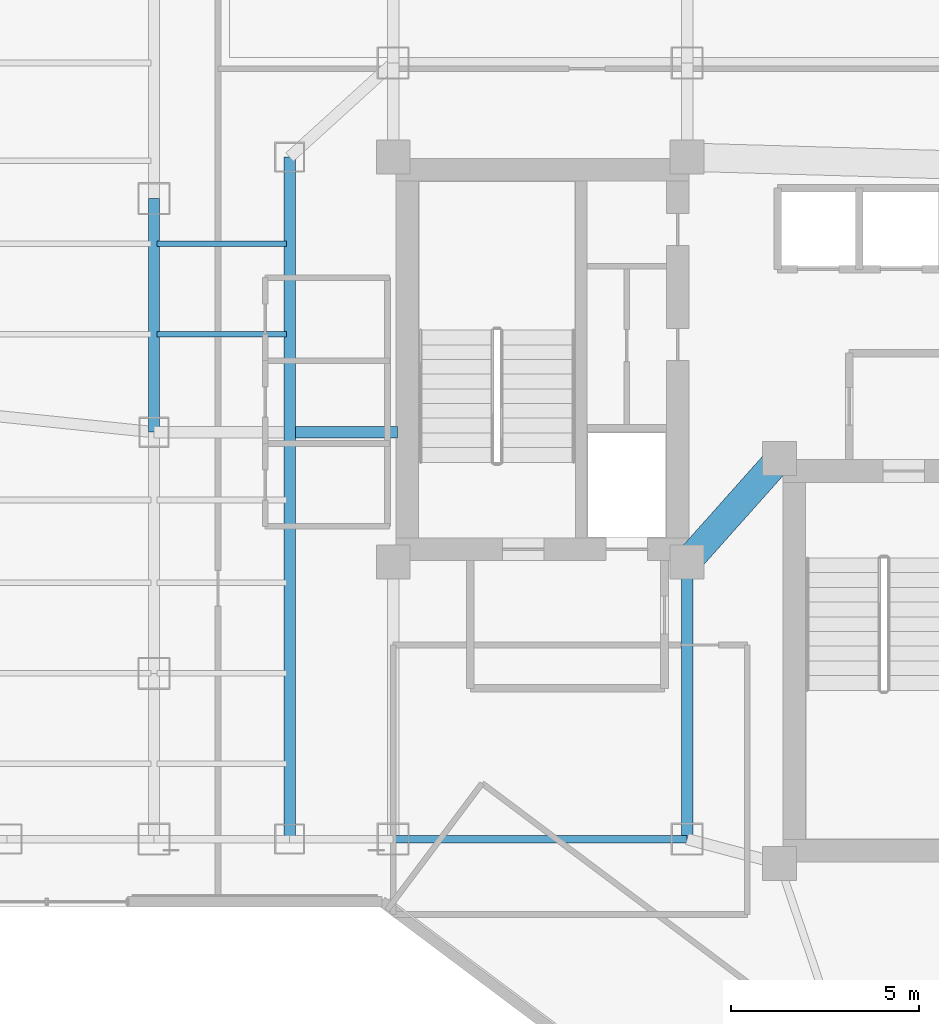
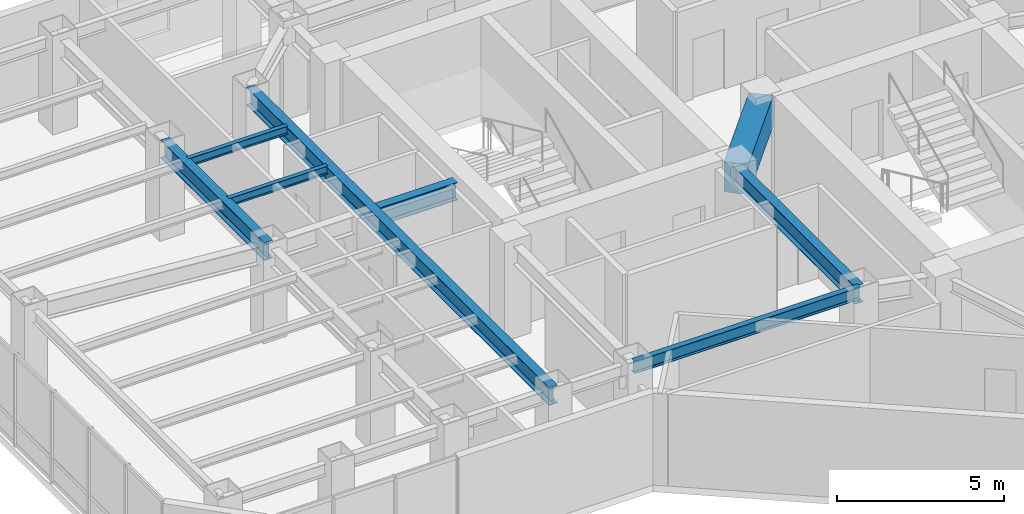
# One storey, part 9 of 26: 8 beams.
"""IFC4 building model written with IfcOpenShell, lengths in metres."""

from ifc_helpers import new_model, si_unit, direction, frame, origin, origin_2d, place, context, subcontext, project, spatial, rectangle, i_section, extrude, material, material_profile, profile_set, type_object, element, save


model = new_model("IFC4")

# Units and contexts
model_context = context("Model", 3, precision=1e-05, world=origin(), true_north=direction((0.0, 1.0)))
body_context = subcontext(model_context, "Body", "Model", "MODEL_VIEW")
ifc_project = project(units=[si_unit("LENGTHUNIT", "METRE"), si_unit("AREAUNIT", "SQUARE_METRE"), si_unit("VOLUMEUNIT", "CUBIC_METRE"), si_unit("PLANEANGLEUNIT", "RADIAN"), si_unit("MASSUNIT", "GRAM", prefix="KILO")], contexts=[model_context])

# Site, building, storey
site_placement = place(None, origin())
site = spatial("IfcSite", under=ifc_project, at=site_placement, CompositionType="ELEMENT")
building_placement = place(site_placement, origin())
building = spatial("IfcBuilding", under=site, at=building_placement, Name="Hatsunagi Terrace Concourse", CompositionType="ELEMENT")
storey_placement = place(building_placement, frame((0.0, 0.0, 152.85009765625)))
storey = spatial("IfcBuildingStorey", under=building, at=storey_placement, Name="L40", CompositionType="ELEMENT", Elevation=152.85009765625)

# Beams
ifc_material_1 = material(Name="Concrete Fc48", Category="concrete")
ifc_material_profile_1 = material_profile(ifc_material_1, rectangle(XDim=0.75, YDim=1.10009765625, at=origin_2d()), Name="RC-750x1100")
ifc_profile_set_1 = profile_set([ifc_material_profile_1], Name="Concrete Fc48")
beam_type_1 = type_object("IfcBeamType", Name="CoreCouplingBeam_RC_750x1100", PredefinedType="BEAM", material=ifc_profile_set_1)
beam_1_placement = place(storey_placement, frame((33.35009765625, 32.550048828125, 2.7998046875), z_axis=(0.665198651008, 0.746666427997, 0.0), x_axis=(-0.746666427997, 0.665198651008, 0.0)))
element("IfcBeam", 1, at=beam_1_placement, inside=storey, type_object=beam_type_1, Name="Beam CB-02 CB-L40-1", PredefinedType="BEAM", context=body_context, shape_type="SweptSolid", body=[
    extrude(rectangle(XDim=0.75, YDim=1.10009765625, at=origin_2d()), origin(), (0.0, 0.0, 1.0), 3.68310546875),
])
ifc_material_2 = material(Name="Steel SN490B", Category="steel")
ifc_material_profile_2 = material_profile(ifc_material_2, i_section(OverallWidth=0.14990234375, OverallDepth=0.300048828125, WebThickness=0.006591796875, FlangeThickness=0.009033203125, FilletRadius=0.010986328125, at=origin_2d()), Name="H-300x150x6.5x9")
ifc_profile_set_2 = profile_set([ifc_material_profile_2], Name="Steel SN490B")
beam_type_2 = type_object("IfcBeamType", Name="OfficeJoist_H_300x150", PredefinedType="JOIST", material=ifc_profile_set_2)
for number, where, z_axis, x_axis, name in (
    (2, (19.284912109375, 38.60009765625, 3.199951171875), (1.0, 0.0, 0.0), (0.0, 1.0, 0.0), "Beam J-03 J-L40-W-19-386"),
    (3, (19.284912109375, 41.0, 3.199951171875), (1.0, 0.0, 0.0), (0.0, 1.0, 0.0), "Beam J-03 J-L40-W-19-410"),
):
    element("IfcBeam", number, at=place(storey_placement, frame(where, z_axis=z_axis, x_axis=x_axis)), inside=storey, type_object=beam_type_2, Name=name, PredefinedType="JOIST", context=body_context, shape_type="SweptSolid", body=[
        extrude(i_section(OverallWidth=0.14990234375, OverallDepth=0.300048828125, WebThickness=0.006591796875, FlangeThickness=0.009033203125, FilletRadius=0.010986328125, at=origin_2d()), origin(), (0.0, 0.0, 1.0), 3.43017578125),
    ])
ifc_material_3 = material(Name="Steel SN490B", Category="steel")
ifc_material_profile_3 = material_profile(ifc_material_3, i_section(OverallWidth=0.300048828125, OverallDepth=0.64990234375, WebThickness=0.012939453125, FlangeThickness=0.02197265625, FilletRadius=0.01806640625, at=origin_2d()), Name="H-650x300x13x22")
ifc_profile_set_3 = profile_set([ifc_material_profile_3], Name="Steel SN490B")
beam_type_3 = type_object("IfcBeamType", Name="OfficeLowGirder_H_650x300", PredefinedType="BEAM", material=ifc_profile_set_3)
beam_2_placement = place(storey_placement, frame((33.35009765625, 25.199951171875, 3.02490234375), z_axis=(0.0, 1.0, 0.0), x_axis=(-1.0, 0.0, 0.0)))
element("IfcBeam", 4, at=beam_2_placement, inside=storey, type_object=beam_type_3, Name="Beam G-05 BM-L40-K2CA", PredefinedType="BEAM", context=body_context, shape_type="SweptSolid", body=[
    extrude(i_section(OverallWidth=0.300048828125, OverallDepth=0.64990234375, WebThickness=0.012939453125, FlangeThickness=0.02197265625, FilletRadius=0.01806640625, at=origin_2d()), origin(), (0.0, 0.0, 1.0), 7.35009765625),
])
beam_3_placement = place(storey_placement, frame((22.800048828125, 25.199951171875, 3.02490234375), z_axis=(0.0, 1.0, 0.0), x_axis=(-1.0, 0.0, 0.0)))
element("IfcBeam", 5, at=beam_3_placement, inside=storey, type_object=beam_type_3, Name="Beam G-05 BM-L40-CWNS", PredefinedType="BEAM", context=body_context, shape_type="SweptSolid", body=[
    extrude(i_section(OverallWidth=0.300048828125, OverallDepth=0.64990234375, WebThickness=0.012939453125, FlangeThickness=0.02197265625, FilletRadius=0.01806640625, at=origin_2d()), origin(), (0.0, 0.0, 1.0), 18.10009765625),
])
beam_4_placement = place(storey_placement, frame((19.199951171875, 36.0, 3.02490234375), z_axis=(0.0, 1.0, 0.0), x_axis=(-1.0, 0.0, 0.0)))
element("IfcBeam", 6, at=beam_4_placement, inside=storey, type_object=beam_type_3, Name="Beam G-05 BM-L40-NS-19-36", PredefinedType="BEAM", context=body_context, shape_type="SweptSolid", body=[
    extrude(i_section(OverallWidth=0.300048828125, OverallDepth=0.64990234375, WebThickness=0.012939453125, FlangeThickness=0.02197265625, FilletRadius=0.01806640625, at=origin_2d()), origin(), (0.0, 0.0, 1.0), 6.199951171875),
])
beam_5_placement = place(storey_placement, frame((22.949951171875, 36.0, 3.02490234375), z_axis=(1.0, 0.0, 0.0), x_axis=(0.0, 1.0, 0.0)))
element("IfcBeam", 7, at=beam_5_placement, inside=storey, type_object=beam_type_3, Name="Beam G-05 BM-L40-EW-4", PredefinedType="BEAM", context=body_context, shape_type="SweptSolid", body=[
    extrude(i_section(OverallWidth=0.300048828125, OverallDepth=0.64990234375, WebThickness=0.012939453125, FlangeThickness=0.02197265625, FilletRadius=0.01806640625, at=origin_2d()), origin(), (0.0, 0.0, 1.0), 2.7099609375),
])
ifc_material_4 = material(Name="Steel SN490B", Category="steel")
ifc_material_profile_4 = material_profile(ifc_material_4, i_section(OverallWidth=0.199951171875, OverallDepth=0.449951171875, WebThickness=0.009033203125, FlangeThickness=0.013916015625, FilletRadius=0.01611328125, at=origin_2d()), Name="H-450x200x9x14")
ifc_profile_set_4 = profile_set([ifc_material_profile_4], Name="Steel SN490B")
beam_type_4 = type_object("IfcBeamType", Name="PerimeterSpandrel_H_450x200", PredefinedType="SPANDREL", material=ifc_profile_set_4)
beam_6_placement = place(storey_placement, frame((25.550048828125, 25.199951171875, 3.125), z_axis=(1.0, 0.0, 0.0), x_axis=(0.0, 1.0, 0.0)))
element("IfcBeam", 8, at=beam_6_placement, inside=storey, type_object=beam_type_4, Name="Beam SP-02 BM-L40-WS-25", PredefinedType="SPANDREL", context=body_context, shape_type="SweptSolid", body=[
    extrude(i_section(OverallWidth=0.199951171875, OverallDepth=0.449951171875, WebThickness=0.009033203125, FlangeThickness=0.013916015625, FilletRadius=0.01611328125, at=origin_2d()), origin(), (0.0, 0.0, 1.0), 7.800048828125),
])

save(model, "model.ifc")
